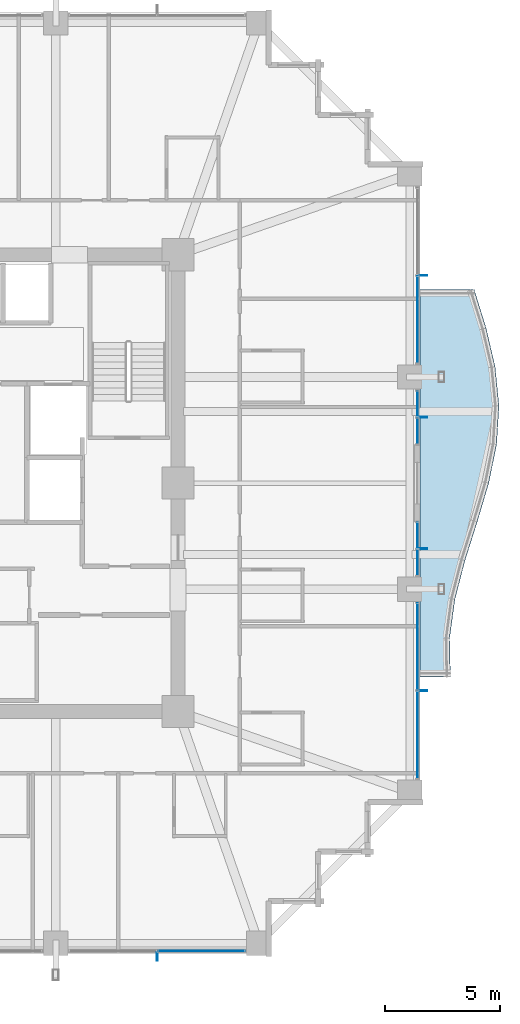
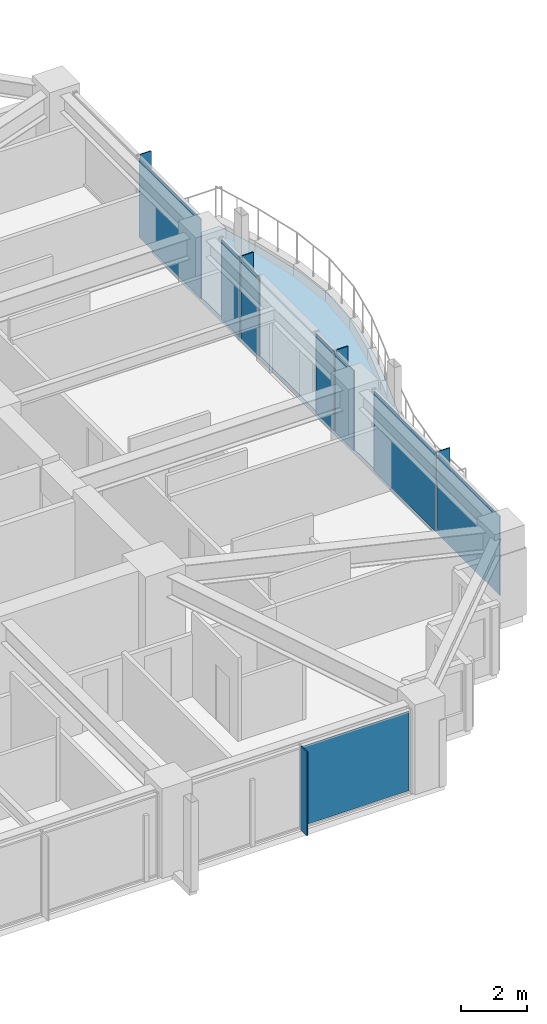
# One storey, part 28 of 37: 13 plates, 1 slab, 5 elements without a shape of their own.
"""IFC4 building model written with IfcOpenShell, lengths in metres."""

from ifc_helpers import new_model, si_unit, direction, frame, origin, origin_2d, place, context, subcontext, project, spatial, polyline, rectangle, outline, extrude, material, layer, layer_set, type_object, element, aggregate, save


model = new_model("IFC4")

# Units and contexts
model_context = context("Model", 3, precision=1e-05, world=origin(), true_north=direction((0.0, 1.0)))
body_context = subcontext(model_context, "Body", "Model", "MODEL_VIEW")
ifc_project = project(units=[si_unit("LENGTHUNIT", "METRE"), si_unit("AREAUNIT", "SQUARE_METRE"), si_unit("VOLUMEUNIT", "CUBIC_METRE"), si_unit("PLANEANGLEUNIT", "RADIAN"), si_unit("MASSUNIT", "GRAM", prefix="KILO")], contexts=[model_context])

# Site, building, storey
site_placement = place(None, origin())
site = spatial("IfcSite", under=ifc_project, at=site_placement, CompositionType="ELEMENT")
building_placement = place(site_placement, origin())
building = spatial("IfcBuilding", under=site, at=building_placement, Name="Kolvaren Belvedere", CompositionType="ELEMENT")
storey_placement = place(building_placement, frame((0.0, 0.0, 75.5)))
storey = spatial("IfcBuildingStorey", under=building, at=storey_placement, Name="L21", CompositionType="ELEMENT", Elevation=75.5)

# Curtain wall, plate
ifc_material_1 = material(Name="Anodised pale-metal aluminium AA 6063-T6", Category="aluminium")
curtain_wall_type = type_object("IfcCurtainWallType", Name="CW-Z2-MID", PredefinedType="NOTDEFINED", material=ifc_material_1)
curtain_wall_1_placement = place(storey_placement, origin())
curtain_wall_1 = element("IfcCurtainWall", 1, at=curtain_wall_1_placement, inside=storey, type_object=curtain_wall_type, Name="L21 Unitised Curtain Wall FCW-L21-S-B1", PredefinedType="NOTDEFINED")
ifc_material_2 = material(Name="Low-iron triple insulated glass", Category="glass")
ifc_layer_1 = layer(ifc_material_2, 0.028076171875)
ifc_layer_set_1 = layer_set([ifc_layer_1], Name="Low-iron triple insulated glass")
plate_type_1 = type_object("IfcPlateType", Name="CW-PNL-VIS28", PredefinedType="CURTAIN_PANEL", material=ifc_layer_set_1)
plate_1_placement = place(storey_placement, frame((10.9111328125, -20.280029296875, 0.080078125), z_axis=(0.0, 0.0, 1.0), x_axis=(-1.0, 0.0, 0.0)))
plate_1 = element("IfcPlate", 2, at=plate_1_placement, type_object=plate_type_1, Name="FCW-L21-S-B1 Vision Glazing Panel 1", PredefinedType="CURTAIN_PANEL", context=body_context, shape_type="SweptSolid", body=[
    extrude(rectangle(XDim=3.742431640625, YDim=0.028076171875, at=origin_2d()), origin(), (0.0, 0.0, 1.0), 2.919921875),
])
aggregate(curtain_wall_1, [plate_1])

curtain_wall_2_placement = place(storey_placement, origin())
curtain_wall_2 = element("IfcCurtainWall", 3, at=curtain_wall_2_placement, inside=storey, type_object=curtain_wall_type, Name="L21 Unitised Curtain Wall FCW-L21-E1-B1", PredefinedType="NOTDEFINED")
plate_2_placement = place(storey_placement, frame((20.280029296875, 7.0888671875, 0.080078125), z_axis=(0.0, 0.0, 1.0), x_axis=(0.0, -1.0, 0.0)))
plate_2 = element("IfcPlate", 4, at=plate_2_placement, type_object=plate_type_1, Name="FCW-L21-E1-B1 Vision Glazing Panel 2", PredefinedType="CURTAIN_PANEL", context=body_context, shape_type="SweptSolid", body=[
    extrude(rectangle(XDim=3.742431640625, YDim=0.028076171875, at=origin_2d()), origin(), (0.0, 0.0, 1.0), 2.919921875),
])
aggregate(curtain_wall_2, [plate_2])

# Curtain wall, plates
curtain_wall_3_placement = place(storey_placement, origin())
curtain_wall_3 = element("IfcCurtainWall", 5, at=curtain_wall_3_placement, inside=storey, type_object=curtain_wall_type, Name="L21 Unitised Curtain Wall FCW-L21-E1-B2", PredefinedType="NOTDEFINED")
plate_3_placement = place(storey_placement, frame((20.280029296875, 3.43701171875, 0.080078125), z_axis=(0.0, 0.0, 1.0), x_axis=(0.0, -1.0, 0.0)))
plate_3 = element("IfcPlate", 6, at=plate_3_placement, type_object=plate_type_1, Name="FCW-L21-E1-B2 Vision Glazing Panel 1", PredefinedType="CURTAIN_PANEL", context=body_context, shape_type="SweptSolid", body=[
    extrude(rectangle(XDim=1.09130859375, YDim=0.028076171875, at=origin_2d()), origin(), (0.0, 0.0, 1.0), 2.919921875),
])
plate_4_placement = place(storey_placement, frame((20.280029296875, 2.265625, 0.080078125), z_axis=(0.0, 0.0, 1.0), x_axis=(0.0, -1.0, 0.0)))
plate_4 = element("IfcPlate", 7, at=plate_4_placement, type_object=plate_type_1, Name="FCW-L21-E1-B2 Vision Glazing Panel 2", PredefinedType="CURTAIN_PANEL", context=body_context, shape_type="SweptSolid", body=[
    extrude(rectangle(XDim=1.09130859375, YDim=0.028076171875, at=origin_2d()), origin(), (0.0, 0.0, 1.0), 2.919921875),
])
aggregate(curtain_wall_3, [plate_3, plate_4])

curtain_wall_4_placement = place(storey_placement, origin())
curtain_wall_4 = element("IfcCurtainWall", 8, at=curtain_wall_4_placement, inside=storey, type_object=curtain_wall_type, Name="L21 Unitised Curtain Wall FCW-L21-E2-B1", PredefinedType="NOTDEFINED")
plate_5_placement = place(storey_placement, frame((20.280029296875, -2.265625, 0.080078125), z_axis=(0.0, 0.0, 1.0), x_axis=(0.0, -1.0, 0.0)))
plate_5 = element("IfcPlate", 9, at=plate_5_placement, type_object=plate_type_1, Name="FCW-L21-E2-B1 Vision Glazing Panel 1", PredefinedType="CURTAIN_PANEL", context=body_context, shape_type="SweptSolid", body=[
    extrude(rectangle(XDim=1.09130859375, YDim=0.028076171875, at=origin_2d()), origin(), (0.0, 0.0, 1.0), 2.919921875),
])
plate_6_placement = place(storey_placement, frame((20.280029296875, -3.43701171875, 0.080078125), z_axis=(0.0, 0.0, 1.0), x_axis=(0.0, -1.0, 0.0)))
plate_6 = element("IfcPlate", 10, at=plate_6_placement, type_object=plate_type_1, Name="FCW-L21-E2-B1 Vision Glazing Panel 2", PredefinedType="CURTAIN_PANEL", context=body_context, shape_type="SweptSolid", body=[
    extrude(rectangle(XDim=1.09130859375, YDim=0.028076171875, at=origin_2d()), origin(), (0.0, 0.0, 1.0), 2.919921875),
])
aggregate(curtain_wall_4, [plate_5, plate_6])

curtain_wall_5_placement = place(storey_placement, origin())
curtain_wall_5 = element("IfcCurtainWall", 11, at=curtain_wall_5_placement, inside=storey, type_object=curtain_wall_type, Name="L21 Unitised Curtain Wall FCW-L21-E2-B2", PredefinedType="NOTDEFINED")
plate_7_placement = place(storey_placement, frame((20.280029296875, -7.0888671875, 0.080078125), z_axis=(0.0, 0.0, 1.0), x_axis=(0.0, -1.0, 0.0)))
plate_7 = element("IfcPlate", 12, at=plate_7_placement, type_object=plate_type_1, Name="FCW-L21-E2-B2 Vision Glazing Panel 1", PredefinedType="CURTAIN_PANEL", context=body_context, shape_type="SweptSolid", body=[
    extrude(rectangle(XDim=3.742431640625, YDim=0.028076171875, at=origin_2d()), origin(), (0.0, 0.0, 1.0), 2.919921875),
])
plate_8_placement = place(storey_placement, frame((20.280029296875, -10.9111328125, 0.080078125), z_axis=(0.0, 0.0, 1.0), x_axis=(0.0, -1.0, 0.0)))
plate_8 = element("IfcPlate", 13, at=plate_8_placement, type_object=plate_type_1, Name="FCW-L21-E2-B2 Vision Glazing Panel 2", PredefinedType="CURTAIN_PANEL", context=body_context, shape_type="SweptSolid", body=[
    extrude(rectangle(XDim=3.742431640625, YDim=0.028076171875, at=origin_2d()), origin(), (0.0, 0.0, 1.0), 2.919921875),
])
aggregate(curtain_wall_5, [plate_7, plate_8])

# Plates
ifc_material_3 = material(Name="Anodised pale-metal aluminium AA 6063-T6", Category="aluminium")
ifc_layer_2 = layer(ifc_material_3, 0.033935546875)
ifc_layer_set_2 = layer_set([ifc_layer_2], Name="Anodised pale-metal aluminium AA 6063-T6")
plate_type_2 = type_object("IfcPlateType", Name="FIN-VERT-380", PredefinedType="USERDEFINED", material=ifc_layer_set_2)
for number, where, z_axis, x_axis, name in (
    (14, (9.0, -20.52490234375, 0.0), (0.0, 0.0, 1.0), (0.0, 1.0, 0.0), "L21 Pale-Metal Vertical Shading Fin FCW-L21-S-B1-1"),
    (15, (20.52490234375, 9.0, 0.0), (0.0, 0.0, 1.0), (1.0, 0.0, 0.0), "L21 Pale-Metal Vertical Shading Fin FCW-L21-E1-B1-1"),
    (16, (20.52490234375, 2.851318359375, 0.0), (0.0, 0.0, 1.0), (1.0, 0.0, 0.0), "L21 Pale-Metal Vertical Shading Fin FCW-L21-E1-B2-1"),
    (17, (20.52490234375, -2.851318359375, 0.0), (0.0, 0.0, 1.0), (1.0, 0.0, 0.0), "L21 Pale-Metal Vertical Shading Fin FCW-L21-E2-B1-1"),
    (18, (20.52490234375, -9.0, 0.0), (0.0, 0.0, 1.0), (1.0, 0.0, 0.0), "L21 Pale-Metal Vertical Shading Fin FCW-L21-E2-B2-1"),
):
    element("IfcPlate", number, at=place(storey_placement, frame(where, z_axis=z_axis, x_axis=x_axis)), inside=storey, type_object=plate_type_2, Name=name, ObjectType="VERTICAL FIN", PredefinedType="USERDEFINED", context=body_context, shape_type="SweptSolid", body=[
        extrude(rectangle(XDim=0.3798828125, YDim=0.033935546875, at=origin_2d()), origin(), (0.0, 0.0, 1.0), 3.080078125),
    ])

# Slab
ifc_material_4 = material(Name="Concrete C50/60", Category="concrete")
ifc_layer_3 = layer(ifc_material_4, 0.179931640625)
ifc_layer_set_3 = layer_set([ifc_layer_3], Name="Concrete C50/60")
slab_type = type_object("IfcSlabType", Name="SL-BAL-180", PredefinedType="FLOOR", material=ifc_layer_set_3)
slab_placement = place(storey_placement, frame((0.0, 0.0, -0.219970703125)))
element("IfcSlab", 19, at=slab_placement, inside=storey, type_object=slab_type, Name="L21 Planted Balcony BAL-E", PredefinedType="FLOOR", context=body_context, shape_type="SweptSolid", body=[
    extrude(outline(polyline([(21.712890625, -8.39990234375), (21.67919921875, -6.719970703125), (21.90771484375, -5.0400390625), (22.34228515625, -3.360107421875), (22.87548828125, -1.679931640625), (23.374755859375, 0.0), (23.71728515625, 1.679931640625), (23.820068359375, 3.360107421875), (23.65185546875, 5.0400390625), (23.26025390625, 6.719970703125), (22.739990234375, 8.39990234375), (20.39990234375, 8.39990234375), (20.39990234375, 6.719970703125), (20.39990234375, 5.0400390625), (20.39990234375, 3.360107421875), (20.39990234375, 1.679931640625), (20.39990234375, 0.0), (20.39990234375, -1.679931640625), (20.39990234375, -3.360107421875), (20.39990234375, -5.0400390625), (20.39990234375, -6.719970703125), (20.39990234375, -8.39990234375), (21.712890625, -8.39990234375)])), origin(), (0.0, 0.0, 1.0), 0.179931640625),
])

save(model, "model.ifc")
